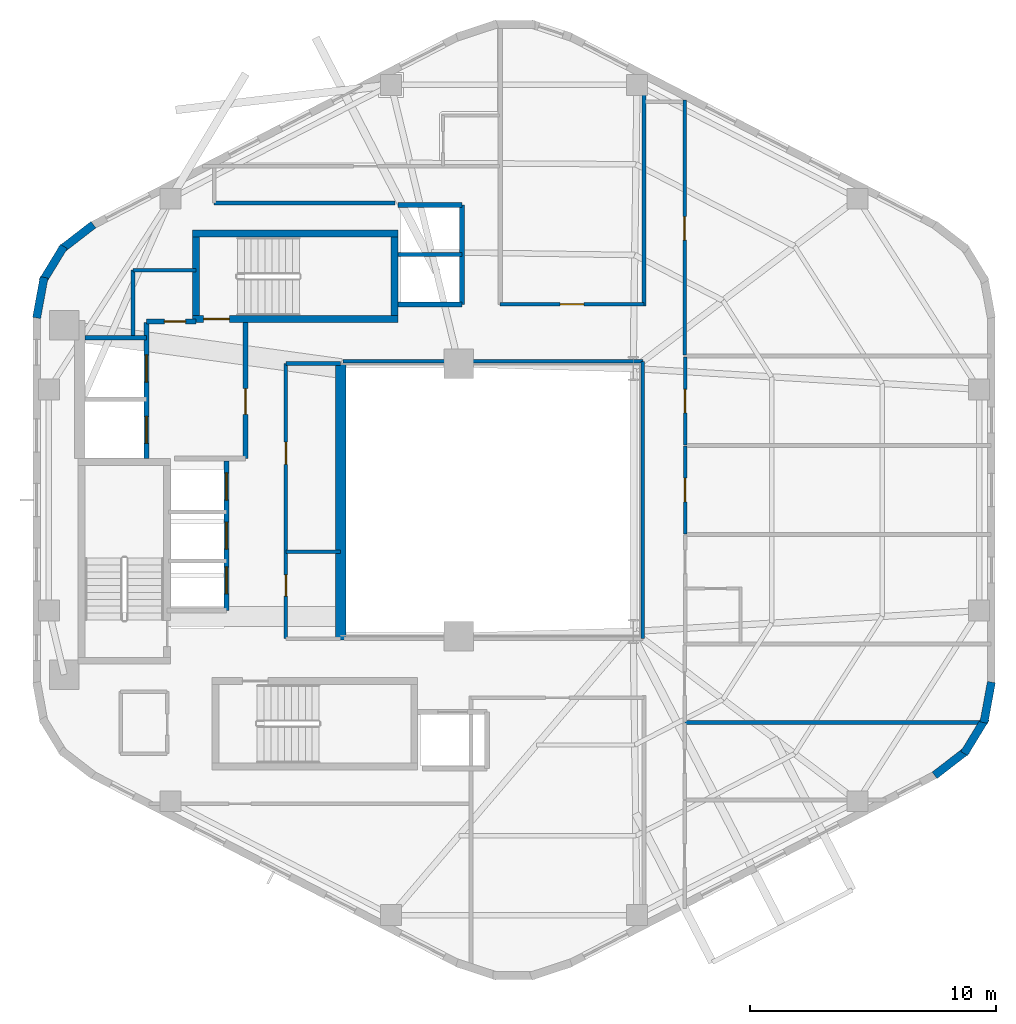
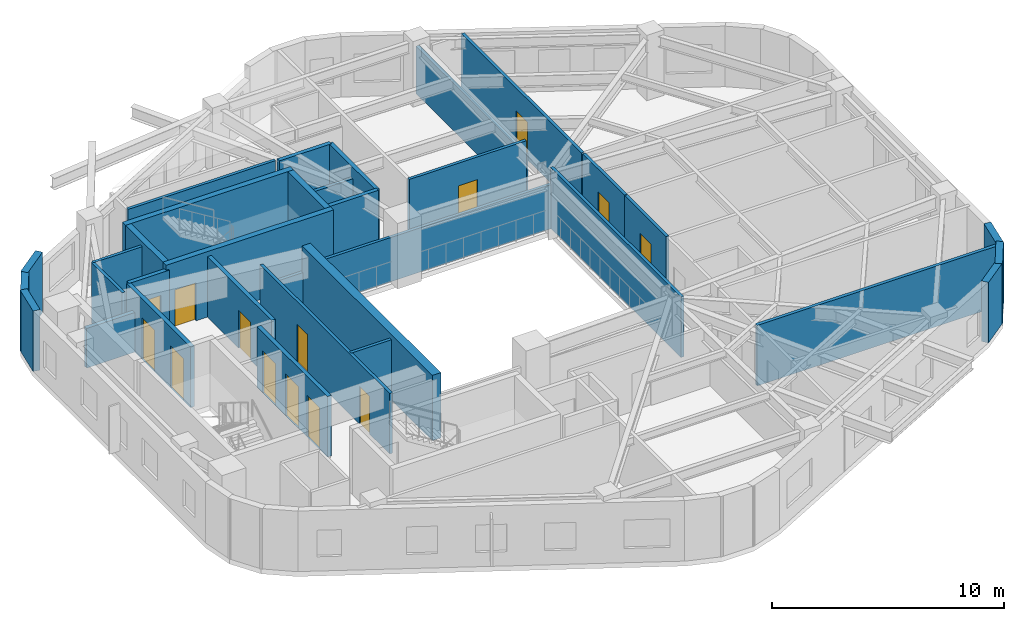
# One storey, part 4 of 7: 34 walls, 14 doors, 14 openings.
"""IFC4 building model written with IfcOpenShell, lengths in metres."""

from ifc_helpers import new_model, si_unit, direction, frame, frame_2d, origin, place, context, subcontext, project, spatial, rectangle, extrude, material, layer, layer_set, type_object, element, fill, save


model = new_model("IFC4")

# Units and contexts
model_context = context("Model", 3, precision=1e-05, world=origin(), true_north=direction((0.0, 1.0)))
body_context = subcontext(model_context, "Body", "Model", "MODEL_VIEW")
ifc_project = project(units=[si_unit("LENGTHUNIT", "METRE"), si_unit("AREAUNIT", "SQUARE_METRE"), si_unit("VOLUMEUNIT", "CUBIC_METRE"), si_unit("PLANEANGLEUNIT", "RADIAN"), si_unit("MASSUNIT", "GRAM", prefix="KILO"), si_unit("THERMODYNAMICTEMPERATUREUNIT", "KELVIN"), si_unit("POWERUNIT", "WATT")], contexts=[model_context])

# Site, building, storey
site_placement = place(None, origin())
site = spatial("IfcSite", under=ifc_project, at=site_placement, CompositionType="ELEMENT")
building_placement = place(site_placement, origin())
building = spatial("IfcBuilding", under=site, at=building_placement, Name="Skarre Station Tower", CompositionType="ELEMENT")
storey_placement = place(building_placement, frame((0.0, 0.0, 199.89990234375)))
storey = spatial("IfcBuildingStorey", under=building, at=storey_placement, Name="L54", CompositionType="ELEMENT", Elevation=199.89990234375)

# Wall
ifc_material_1 = material(Name="Acoustic Steel-Stud Gypsum Partition", Category="steel")
ifc_layer_1 = layer(ifc_material_1, 0.14990234375, Name="Acoustic Steel-Stud Gypsum Partition")
ifc_layer_set_1 = layer_set([ifc_layer_1], Name="Acoustic Steel-Stud Gypsum Partition")
wall_type_1 = type_object("IfcWallType", Name="Fire-Rated Corridor Acoustic Partition 150", PredefinedType="PARTITIONING", material=ifc_layer_set_1)
wall_1_placement = place(storey_placement, frame((25.320068359375, 21.89990234375, 0.0), z_axis=(0.0, 0.0, 1.0), x_axis=(1.0, 0.0, 0.0)))
element("IfcWall", 1, at=wall_1_placement, inside=storey, type_object=wall_type_1, Name="L54 Interior Partition WL-PT-L54-RC2-M", PredefinedType="PARTITIONING", context=body_context, shape_type="SweptSolid", body=[
    extrude(rectangle(XDim=2.22998046875, YDim=0.14990234375, at=frame_2d((1.114990234375, 0.0))), origin(), (0.0, 0.0, 1.0), 3.190185546875),
])

# Wall, openings, doors
wall_2_placement = place(storey_placement, frame((25.320068359375, 29.550048828125, 0.0), z_axis=(0.0, 0.0, 1.0), x_axis=(0.0, -1.0, 0.0)))
wall_2 = element("IfcWall", 2, at=wall_2_placement, inside=storey, type_object=wall_type_1, Name="L54 Interior Partition WL-PT-L54-RC2-W", PredefinedType="PARTITIONING", context=body_context, shape_type="SweptSolid", body=[
    extrude(rectangle(XDim=11.18994140625, YDim=0.14990234375, at=frame_2d((5.594970703125, 0.0))), origin(), (0.0, 0.0, 1.0), 3.190185546875),
])
opening_1_placement = place(wall_2_placement, frame((3.199951171875, 0.0, 0.0)))
opening_1 = element("IfcOpeningElement", 3, at=opening_1_placement, cuts=wall_2, Name="Opening DR-SVC90", PredefinedType="OPENING", context=body_context, shape_type="SweptSolid", body=[
    extrude(rectangle(XDim=0.89990234375, YDim=2.0, at=frame_2d((0.449951171875, 1.0))), frame((0.0, 0.0849609375, 0.0), z_axis=(0.0, -1.0, 0.0), x_axis=(1.0, 0.0, 0.0)), (0.0, 0.0, 1.0), 0.169921875),
])
opening_2_placement = place(wall_2_placement, frame((8.60009765625, 0.0, 0.0)))
opening_2 = element("IfcOpeningElement", 4, at=opening_2_placement, cuts=wall_2, Name="Opening DR-SVC86", PredefinedType="OPENING", context=body_context, shape_type="SweptSolid", body=[
    extrude(rectangle(XDim=0.860107421875, YDim=2.0, at=frame_2d((0.43017578125, 1.0))), frame((0.0, 0.0849609375, 0.0), z_axis=(0.0, -1.0, 0.0), x_axis=(1.0, 0.0, 0.0)), (0.0, 0.0, 1.0), 0.169921875),
])
ifc_material_2 = material(Name="Powder-Coated Hollow-Metal Acoustic Fire Leaf", Category="steel")
door_type_1 = type_object("IfcDoorType", Name="Compact Riser Fire Door FD60 860x2100", OperationType="SINGLE_SWING_LEFT", PredefinedType="DOOR", material=ifc_material_2)
door_1_placement = place(opening_2_placement, origin())
door_1 = element("IfcDoor", 5, at=door_1_placement, inside=storey, type_object=door_type_1, Name="L54 Espresso Room Door", OperationType="SINGLE_SWING_LEFT", OverallHeight=2.0, OverallWidth=0.860107421875, PredefinedType="DOOR", context=body_context, shape_type="SweptSolid", body=[
    extrude(rectangle(XDim=0.860107421875, YDim=2.0, at=frame_2d((0.43017578125, 1.0))), frame((0.0, 0.02490234375, 0.0), z_axis=(0.0, -1.0, 0.0), x_axis=(1.0, 0.0, 0.0)), (0.0, 0.0, 1.0), 0.050048828125),
])
fill(opening_2, door_1)
door_type_2 = type_object("IfcDoorType", Name="Service & Riser Fire Door FD60 900x2100", OperationType="SINGLE_SWING_LEFT", PredefinedType="DOOR", material=ifc_material_2)
door_2_placement = place(opening_1_placement, origin())
door_2 = element("IfcDoor", 6, at=door_2_placement, inside=storey, type_object=door_type_2, Name="L54 Housekeeping Store Door", OperationType="SINGLE_SWING_LEFT", OverallHeight=2.0, OverallWidth=0.89990234375, PredefinedType="DOOR", context=body_context, shape_type="SweptSolid", body=[
    extrude(rectangle(XDim=0.89990234375, YDim=2.0, at=frame_2d((0.449951171875, 1.0))), frame((0.0, 0.02490234375, 0.0), z_axis=(0.0, -1.0, 0.0), x_axis=(1.0, 0.0, 0.0)), (0.0, 0.0, 1.0), 0.050048828125),
])
fill(opening_1, door_2)

# Walls
wall_3_placement = place(storey_placement, frame((27.550048828125, 29.550048828125, 0.0), z_axis=(0.0, 0.0, 1.0), x_axis=(-1.0, 0.0, 0.0)))
element("IfcWall", 7, at=wall_3_placement, inside=storey, type_object=wall_type_1, Name="L54 Interior Partition WL-PT-L54-RC2-N", PredefinedType="PARTITIONING", context=body_context, shape_type="SweptSolid", body=[
    extrude(rectangle(XDim=2.22998046875, YDim=0.14990234375, at=frame_2d((1.114990234375, 0.0))), origin(), (0.0, 0.0, 1.0), 2.090087890625),
])
wall_4_placement = place(storey_placement, frame((19.10009765625, 33.35009765625, 0.0), z_axis=(0.0, 0.0, 1.0), x_axis=(0.0, -1.0, 0.0)))
element("IfcWall", 8, at=wall_4_placement, inside=storey, type_object=wall_type_1, Name="L54 Interior Partition WL-PT-L54-CNW-W", PredefinedType="PARTITIONING", context=body_context, shape_type="SweptSolid", body=[
    extrude(rectangle(XDim=2.655029296875, YDim=0.14990234375, at=frame_2d((1.32763671875, 0.0))), origin(), (0.0, 0.0, 1.0), 3.190185546875),
])
wall_5_placement = place(storey_placement, frame((21.659912109375, 33.35009765625, 0.0), z_axis=(0.0, 0.0, 1.0), x_axis=(-1.0, 0.0, 0.0)))
element("IfcWall", 9, at=wall_5_placement, inside=storey, type_object=wall_type_1, Name="L54 Interior Partition WL-PT-L54-CNW-N1", PredefinedType="PARTITIONING", context=body_context, shape_type="SweptSolid", body=[
    extrude(rectangle(XDim=2.559814453125, YDim=0.14990234375, at=frame_2d((1.27978515625, 0.0))), origin(), (0.0, 0.0, 1.0), 3.190185546875),
])
wall_6_placement = place(storey_placement, frame((39.840087890625, 29.639892578125, 0.0), z_axis=(0.0, 0.0, 1.0), x_axis=(-1.0, 0.0, 0.0)))
element("IfcWall", 10, at=wall_6_placement, inside=storey, type_object=wall_type_1, Name="L54 Interior Partition WL-PT-L54-ATRW-N", PredefinedType="PARTITIONING", context=body_context, shape_type="SweptSolid", body=[
    extrude(rectangle(XDim=12.203125, YDim=0.14990234375, at=frame_2d((6.1015625, 0.0))), origin(), (0.0, 0.0, 1.0), 2.3310546875),
])
wall_7_placement = place(storey_placement, frame((39.840087890625, 18.360107421875, 0.0), z_axis=(0.0, 0.0, 1.0), x_axis=(0.0, 1.0, 0.0)))
element("IfcWall", 11, at=wall_7_placement, inside=storey, type_object=wall_type_1, Name="L54 Interior Partition WL-PT-L54-ATRW-E", PredefinedType="PARTITIONING", context=body_context, shape_type="SweptSolid", body=[
    extrude(rectangle(XDim=11.27978515625, YDim=0.14990234375, at=frame_2d((5.639892578125, 0.0))), origin(), (0.0, 0.0, 1.0), 3.190185546875),
])

# Wall, opening, door
wall_8_placement = place(storey_placement, frame((39.8798828125, 31.9599609375, 0.0), z_axis=(0.0, 0.0, 1.0), x_axis=(-1.0, 0.0, 0.0)))
wall_8 = element("IfcWall", 12, at=wall_8_placement, inside=storey, type_object=wall_type_1, Name="L54 Interior Partition WL-PT-L54-NWC1-CW", PredefinedType="PARTITIONING", context=body_context, shape_type="SweptSolid", body=[
    extrude(rectangle(XDim=5.83984375, YDim=0.14990234375, at=frame_2d((2.919921875, 0.0))), origin(), (0.0, 0.0, 1.0), 3.190185546875),
])
opening_3_placement = place(wall_8_placement, frame((2.43994140625, 0.0, 0.0)))
opening_3 = element("IfcOpeningElement", 13, at=opening_3_placement, cuts=wall_8, Name="Opening DR-FD60", PredefinedType="OPENING", context=body_context, shape_type="SweptSolid", body=[
    extrude(rectangle(XDim=0.9599609375, YDim=2.0, at=frame_2d((0.47998046875, 1.0))), frame((0.0, 0.0849609375, 0.0), z_axis=(0.0, -1.0, 0.0), x_axis=(1.0, 0.0, 0.0)), (0.0, 0.0, 1.0), 0.169921875),
])
ifc_material_3 = material(Name="Nordic White-Oak Veneer Solid-Core Fire Leaf", Category="wood")
door_type_3 = type_object("IfcDoorType", Name="Corridor Suite Entry Fire Door FD60 960x2150", OperationType="SINGLE_SWING_LEFT", PredefinedType="DOOR", material=ifc_material_3)
door_3_placement = place(opening_3_placement, origin())
door_3 = element("IfcDoor", 14, at=door_3_placement, inside=storey, type_object=door_type_3, Name="L54 NWC1 Entry Door", OperationType="SINGLE_SWING_LEFT", OverallHeight=2.0, OverallWidth=0.9599609375, PredefinedType="DOOR", context=body_context, shape_type="SweptSolid", body=[
    extrude(rectangle(XDim=0.9599609375, YDim=2.0, at=frame_2d((0.47998046875, 1.0))), frame((0.0, 0.02490234375, 0.0), z_axis=(0.0, -1.0, 0.0), x_axis=(1.0, 0.0, 0.0)), (0.0, 0.0, 1.0), 0.050048828125),
])
fill(opening_3, door_3)

wall_9_placement = place(storey_placement, frame((41.5400390625, 40.27490234375, 0.0), z_axis=(0.0, 0.0, 1.0), x_axis=(0.0, -1.0, 0.0)))
wall_9 = element("IfcWall", 15, at=wall_9_placement, inside=storey, type_object=wall_type_1, Name="L54 Interior Partition WL-PT-L54-NW1-CW", PredefinedType="PARTITIONING", context=body_context, shape_type="SweptSolid", body=[
    extrude(rectangle(XDim=10.375, YDim=0.14990234375, at=frame_2d((5.1875, 0.0))), origin(), (0.0, 0.0, 1.0), 3.190185546875),
])
opening_4_placement = place(wall_9_placement, frame((4.7451171875, 0.0, 0.0)))
opening_4 = element("IfcOpeningElement", 16, at=opening_4_placement, cuts=wall_9, Name="Opening DR-FD60", PredefinedType="OPENING", context=body_context, shape_type="SweptSolid", body=[
    extrude(rectangle(XDim=0.9599609375, YDim=2.0, at=frame_2d((0.47998046875, 1.0))), frame((0.0, 0.0849609375, 0.0), z_axis=(0.0, -1.0, 0.0), x_axis=(1.0, 0.0, 0.0)), (0.0, 0.0, 1.0), 0.169921875),
])
door_4_placement = place(opening_4_placement, origin())
door_4 = element("IfcDoor", 17, at=door_4_placement, inside=storey, type_object=door_type_3, Name="L54 NW1 Entry Door", OperationType="SINGLE_SWING_LEFT", OverallHeight=2.0, OverallWidth=0.9599609375, PredefinedType="DOOR", context=body_context, shape_type="SweptSolid", body=[
    extrude(rectangle(XDim=0.9599609375, YDim=2.0, at=frame_2d((0.47998046875, 1.0))), frame((0.0, 0.02490234375, 0.0), z_axis=(0.0, -1.0, 0.0), x_axis=(1.0, 0.0, 0.0)), (0.0, 0.0, 1.0), 0.050048828125),
])
fill(opening_4, door_4)

wall_10_placement = place(storey_placement, frame((41.56005859375, 22.62109375, 0.0), z_axis=(0.0, 0.0, 1.0), x_axis=(0.0, 1.0, 0.0)))
wall_10 = element("IfcWall", 18, at=wall_10_placement, inside=storey, type_object=wall_type_1, Name="L54 Interior Partition WL-PT-L54-EW2-CW", PredefinedType="PARTITIONING", context=body_context, shape_type="SweptSolid", body=[
    extrude(rectangle(XDim=3.572998046875, YDim=0.14990234375, at=frame_2d((1.78662109375, 0.0))), origin(), (0.0, 0.0, 1.0), 3.190185546875),
])
opening_5_placement = place(wall_10_placement, frame((1.306884765625, 0.0, 0.0)))
opening_5 = element("IfcOpeningElement", 19, at=opening_5_placement, cuts=wall_10, Name="Opening DR-FD60", PredefinedType="OPENING", context=body_context, shape_type="SweptSolid", body=[
    extrude(rectangle(XDim=0.9599609375, YDim=2.0, at=frame_2d((0.47998046875, 1.0))), frame((0.0, 0.0849609375, 0.0), z_axis=(0.0, -1.0, 0.0), x_axis=(1.0, 0.0, 0.0)), (0.0, 0.0, 1.0), 0.169921875),
])
door_5_placement = place(opening_5_placement, origin())
door_5 = element("IfcDoor", 20, at=door_5_placement, inside=storey, type_object=door_type_3, Name="L54 EW2 Entry Door", OperationType="SINGLE_SWING_LEFT", OverallHeight=2.0, OverallWidth=0.9599609375, PredefinedType="DOOR", context=body_context, shape_type="SweptSolid", body=[
    extrude(rectangle(XDim=0.9599609375, YDim=2.0, at=frame_2d((0.47998046875, 1.0))), frame((0.0, 0.02490234375, 0.0), z_axis=(0.0, -1.0, 0.0), x_axis=(1.0, 0.0, 0.0)), (0.0, 0.0, 1.0), 0.050048828125),
])
fill(opening_5, door_5)

wall_11_placement = place(storey_placement, frame((41.56005859375, 26.22998046875, 0.0), z_axis=(0.0, 0.0, 1.0), x_axis=(0.0, 1.0, 0.0)))
wall_11 = element("IfcWall", 21, at=wall_11_placement, inside=storey, type_object=wall_type_1, Name="L54 Interior Partition WL-PT-L54-EW3-CW", PredefinedType="PARTITIONING", context=body_context, shape_type="SweptSolid", body=[
    extrude(rectangle(XDim=3.590087890625, YDim=0.14990234375, at=frame_2d((1.794921875, 0.0))), origin(), (0.0, 0.0, 1.0), 3.190185546875),
])
opening_6_placement = place(wall_11_placement, frame((1.31494140625, 0.0, 0.0)))
opening_6 = element("IfcOpeningElement", 22, at=opening_6_placement, cuts=wall_11, Name="Opening DR-FD60", PredefinedType="OPENING", context=body_context, shape_type="SweptSolid", body=[
    extrude(rectangle(XDim=0.9599609375, YDim=2.0, at=frame_2d((0.47998046875, 1.0))), frame((0.0, 0.0849609375, 0.0), z_axis=(0.0, -1.0, 0.0), x_axis=(1.0, 0.0, 0.0)), (0.0, 0.0, 1.0), 0.169921875),
])
door_6_placement = place(opening_6_placement, origin())
door_6 = element("IfcDoor", 23, at=door_6_placement, inside=storey, type_object=door_type_3, Name="L54 EW3 Entry Door", OperationType="SINGLE_SWING_LEFT", OverallHeight=2.0, OverallWidth=0.9599609375, PredefinedType="DOOR", context=body_context, shape_type="SweptSolid", body=[
    extrude(rectangle(XDim=0.9599609375, YDim=2.0, at=frame_2d((0.47998046875, 1.0))), frame((0.0, 0.02490234375, 0.0), z_axis=(0.0, -1.0, 0.0), x_axis=(1.0, 0.0, 0.0)), (0.0, 0.0, 1.0), 0.050048828125),
])
fill(opening_6, door_6)

# Walls
wall_12_placement = place(storey_placement, frame((29.7529296875, 36.080078125, 0.0), z_axis=(0.0, 0.0, 1.0), x_axis=(-1.0, 0.0, 0.0)))
element("IfcWall", 24, at=wall_12_placement, inside=storey, type_object=wall_type_1, Name="L54 Interior Partition WL-PT-L54-CSEAL-1", PredefinedType="PARTITIONING", context=body_context, shape_type="SweptSolid", body=[
    extrude(rectangle(XDim=7.35302734375, YDim=0.14990234375, at=frame_2d((3.676513671875, 0.0))), origin(), (0.0, 0.0, 1.0), 3.190185546875),
])
ifc_material_4 = material(Name="Precast concrete C45/55", Category="concrete")
ifc_layer_2 = layer(ifc_material_4, 0.330078125, Name="Precast concrete C45/55")
ifc_layer_set_2 = layer_set([ifc_layer_2], Name="Precast concrete C45/55")
wall_type_2 = type_object("IfcWallType", Name="Nordic Rounded Corner Precast Wall 330", PredefinedType="STANDARD", material=ifc_layer_set_2)
wall_13_placement = place(storey_placement, frame((15.178955078125, 31.407958984375, 0.0), z_axis=(0.0, 0.0, 1.0), x_axis=(0.180717642671, 0.983535019014, 0.0)))
element("IfcWall", 25, at=wall_13_placement, inside=storey, type_object=wall_type_2, Name="L54 Rounded Corner Precast Wall F2-1", PredefinedType="STANDARD", context=body_context, shape_type="SweptSolid", body=[
    extrude(rectangle(XDim=1.676513671875, YDim=0.330078125, at=frame_2d((0.83837890625, 0.0))), origin(), (0.0, 0.0, 1.0), 3.190185546875),
])
wall_14_placement = place(storey_placement, frame((15.4150390625, 32.882080078125, 0.0), z_axis=(0.0, 0.0, 1.0), x_axis=(0.520325409202, 0.853968072318, 0.0)))
element("IfcWall", 26, at=wall_14_placement, inside=storey, type_object=wall_type_2, Name="L54 Rounded Corner Precast Wall F2-2", PredefinedType="STANDARD", context=body_context, shape_type="SweptSolid", body=[
    extrude(rectangle(XDim=1.677978515625, YDim=0.330078125, at=frame_2d((0.8388671875, 0.0))), origin(), (0.0, 0.0, 1.0), 3.190185546875),
])
for number, where, z_axis, x_axis, name in (
    (27, (16.162109375, 34.175048828125, 0.0), (0.0, 0.0, 1.0), (0.791409877269, 0.611285862884, 0.0), "L54 Rounded Corner Precast Wall F2-3"),
    (28, (54.02099609375, 16.592041015625, 0.0), (0.0, 0.0, 1.0), (-0.180717642671, -0.983535019014, 0.0), "L54 Rounded Corner Precast Wall F5-1"),
):
    element("IfcWall", number, at=place(storey_placement, frame(where, z_axis=z_axis, x_axis=x_axis)), inside=storey, type_object=wall_type_2, Name=name, PredefinedType="STANDARD", context=body_context, shape_type="SweptSolid", body=[
        extrude(rectangle(XDim=1.676513671875, YDim=0.330078125, at=frame_2d((0.83837890625, 0.0))), origin(), (0.0, 0.0, 1.0), 3.190185546875),
    ])
wall_15_placement = place(storey_placement, frame((53.784912109375, 15.117919921875, 0.0), z_axis=(0.0, 0.0, 1.0), x_axis=(-0.520219286058, -0.85403272444, 0.0)))
element("IfcWall", 29, at=wall_15_placement, inside=storey, type_object=wall_type_2, Name="L54 Rounded Corner Precast Wall F5-2", PredefinedType="STANDARD", context=body_context, shape_type="SweptSolid", body=[
    extrude(rectangle(XDim=1.677734375, YDim=0.330078125, at=frame_2d((0.8388671875, 0.0))), origin(), (0.0, 0.0, 1.0), 3.190185546875),
])
wall_16_placement = place(storey_placement, frame((53.0380859375, 13.824951171875, 0.0), z_axis=(0.0, 0.0, 1.0), x_axis=(-0.791464279355, -0.611215423976, 0.0)))
element("IfcWall", 30, at=wall_16_placement, inside=storey, type_object=wall_type_2, Name="L54 Rounded Corner Precast Wall F5-3", PredefinedType="STANDARD", context=body_context, shape_type="SweptSolid", body=[
    extrude(rectangle(XDim=1.6767578125, YDim=0.330078125, at=frame_2d((0.83837890625, 0.0))), origin(), (0.0, 0.0, 1.0), 3.190185546875),
])

# Wall, opening, door
ifc_material_5 = material(Name="Concrete C50/60", Category="concrete")
ifc_layer_3 = layer(ifc_material_5, 0.280029296875, Name="Concrete C50/60")
ifc_layer_set_3 = layer_set([ifc_layer_3], Name="Concrete C50/60")
wall_type_3 = type_object("IfcWallType", Name="RC Core Shear Wall 280", PredefinedType="SHEAR", material=ifc_layer_set_3)
wall_17_placement = place(storey_placement, frame((21.52001953125, 31.360107421875, 0.0), z_axis=(0.0, 0.0, 1.0), x_axis=(1.0, 0.0, 0.0)))
wall_17 = element("IfcWall", 31, at=wall_17_placement, inside=storey, type_object=wall_type_3, Name="L54 Stair ST-3 South Shear Wall", PredefinedType="SHEAR", context=body_context, shape_type="SweptSolid", body=[
    extrude(rectangle(XDim=8.35986328125, YDim=0.280029296875, at=frame_2d((4.179931640625, 0.0))), origin(), (0.0, 0.0, 1.0), 3.4501953125),
])
opening_7_placement = place(wall_17_placement, frame((0.449951171875, 0.0, 0.0)))
opening_7 = element("IfcOpeningElement", 32, at=opening_7_placement, cuts=wall_17, Name="Opening DR-FD90", PredefinedType="OPENING", context=body_context, shape_type="SweptSolid", body=[
    extrude(rectangle(XDim=1.050048828125, YDim=2.0, at=frame_2d((0.52490234375, 1.0))), frame((0.0, 0.14990234375, 0.0), z_axis=(0.0, -1.0, 0.0), x_axis=(1.0, 0.0, 0.0)), (0.0, 0.0, 1.0), 0.300048828125),
])
ifc_material_6 = material(Name="Fire-Rated Insulated Steel Frame & Timber Core Leaf", Category="steel")
door_type_4 = type_object("IfcDoorType", Name="Stair & FSAE Lobby Fire Door FD90 1050x2150", OperationType="SINGLE_SWING_RIGHT", PredefinedType="DOOR", material=ifc_material_6)
door_7_placement = place(opening_7_placement, origin())
door_7 = element("IfcDoor", 33, at=door_7_placement, inside=storey, type_object=door_type_4, Name="L54 Stair ST-3 & FSAE Lobby Direct Exit Door", OperationType="SINGLE_SWING_LEFT", OverallHeight=2.0, OverallWidth=1.050048828125, PredefinedType="DOOR", context=body_context, shape_type="SweptSolid", body=[
    extrude(rectangle(XDim=1.050048828125, YDim=2.0, at=frame_2d((0.52490234375, 1.0))), frame((0.0, 0.02490234375, 0.0), z_axis=(0.0, -1.0, 0.0), x_axis=(1.0, 0.0, 0.0)), (0.0, 0.0, 1.0), 0.050048828125),
])
fill(opening_7, door_7)

# Walls
wall_18_placement = place(storey_placement, frame((29.8798828125, 34.840087890625, 0.0), z_axis=(0.0, 0.0, 1.0), x_axis=(-1.0, 0.0, 0.0)))
element("IfcWall", 34, at=wall_18_placement, inside=storey, type_object=wall_type_3, Name="L54 Stair ST-3 North Shear Wall", PredefinedType="SHEAR", context=body_context, shape_type="SweptSolid", body=[
    extrude(rectangle(XDim=8.35986328125, YDim=0.280029296875, at=frame_2d((4.179931640625, 0.0))), origin(), (0.0, 0.0, 1.0), 3.4501953125),
])
for number, where, z_axis, x_axis, name in (
    (35, (21.659912109375, 34.699951171875, 0.0), (0.0, 0.0, 1.0), (0.0, -1.0, 0.0), "L54 Stair ST-3 West Shear Wall"),
    (36, (29.739990234375, 31.5, 0.0), (0.0, 0.0, 1.0), (0.0, 1.0, 0.0), "L54 Stair ST-3 East Shear Wall"),
):
    element("IfcWall", number, at=place(storey_placement, frame(where, z_axis=z_axis, x_axis=x_axis)), inside=storey, type_object=wall_type_3, Name=name, PredefinedType="SHEAR", context=body_context, shape_type="SweptSolid", body=[
        extrude(rectangle(XDim=3.199951171875, YDim=0.280029296875, at=frame_2d((1.60009765625, 0.0))), origin(), (0.0, 0.0, 1.0), 3.4501953125),
    ])
ifc_material_7 = material(Name="Concrete C60/75", Category="concrete")
ifc_layer_4 = layer(ifc_material_7, 0.419921875, Name="Concrete C60/75")
ifc_layer_set_4 = layer_set([ifc_layer_4], Name="Concrete C60/75")
wall_type_4 = type_object("IfcWallType", Name="RC Core Shear Wall 420", PredefinedType="SHEAR", material=ifc_layer_set_4)
wall_19_placement = place(storey_placement, frame((27.550048828125, 29.550048828125, 0.0), z_axis=(0.0, 0.0, 1.0), x_axis=(0.0, -1.0, 0.0)))
element("IfcWall", 37, at=wall_19_placement, inside=storey, type_object=wall_type_4, Name="L54 Core East Atrium Shear Wall", PredefinedType="SHEAR", context=body_context, shape_type="SweptSolid", body=[
    extrude(rectangle(XDim=11.25, YDim=0.419921875, at=frame_2d((5.625, 0.0))), origin(), (0.0, 0.0, 1.0), 3.4501953125),
])

# Wall, openings, doors
ifc_material_8 = material(Name="Gypsum Concrete Shaft Assembly C30/37", Category="concrete")
ifc_layer_5 = layer(ifc_material_8, 0.199951171875, Name="Gypsum Concrete Shaft Assembly C30/37")
ifc_layer_set_5 = layer_set([ifc_layer_5], Name="Gypsum Concrete Shaft Assembly C30/37")
wall_type_5 = type_object("IfcWallType", Name="Shaft & Core Fire Partition 200", PredefinedType="PARTITIONING", material=ifc_layer_set_5)
wall_20_placement = place(storey_placement, frame((19.64990234375, 25.679931640625, 0.0), z_axis=(0.0, 0.0, 1.0), x_axis=(0.0, 1.0, 0.0)))
wall_20 = element("IfcWall", 38, at=wall_20_placement, inside=storey, type_object=wall_type_5, Name="L54 Interior Partition WL-PT-L54-FSAE-W", PredefinedType="PARTITIONING", context=body_context, shape_type="SweptSolid", body=[
    extrude(rectangle(XDim=5.5400390625, YDim=0.199951171875, at=frame_2d((2.77001953125, 0.0))), origin(), (0.0, 0.0, 1.0), 3.190185546875),
])
opening_8_placement = place(wall_20_placement, frame((0.6201171875, 0.0, 0.0)))
opening_8 = element("IfcOpeningElement", 39, at=opening_8_placement, cuts=wall_20, Name="Opening LD-FF1", PredefinedType="OPENING", context=body_context, shape_type="SweptSolid", body=[
    extrude(rectangle(XDim=1.10009765625, YDim=2.199951171875, at=frame_2d((0.550048828125, 1.10009765625))), frame((0.0, 0.10986328125, 0.0), z_axis=(0.0, -1.0, 0.0), x_axis=(1.0, 0.0, 0.0)), (0.0, 0.0, 1.0), 0.219970703125),
])
opening_9_placement = place(wall_20_placement, frame((3.1201171875, 0.0, 0.0)))
opening_9 = element("IfcOpeningElement", 40, at=opening_9_placement, cuts=wall_20, Name="Opening LD-FF2", PredefinedType="OPENING", context=body_context, shape_type="SweptSolid", body=[
    extrude(rectangle(XDim=1.10009765625, YDim=2.199951171875, at=frame_2d((0.550048828125, 1.10009765625))), frame((0.0, 0.10986328125, 0.0), z_axis=(0.0, -1.0, 0.0), x_axis=(1.0, 0.0, 0.0)), (0.0, 0.0, 1.0), 0.219970703125),
])
ifc_material_9 = material(Name="Fire-Rated Stainless Steel Grade 316L Sliding Leaves", Category="steel")
door_type_5 = type_object("IfcDoorType", Name="Fire Service Access Elevator Sliding Landing Door 1100x2200", OperationType="SLIDING_TO_LEFT", PredefinedType="DOOR", material=ifc_material_9)
door_8_placement = place(opening_8_placement, origin())
door_8 = element("IfcDoor", 41, at=door_8_placement, inside=storey, type_object=door_type_5, Name="L54 Firefighting Lift LF-FF1 Landing Door", OperationType="SLIDING_TO_LEFT", OverallHeight=2.199951171875, OverallWidth=1.10009765625, PredefinedType="DOOR", context=body_context, shape_type="SweptSolid", body=[
    extrude(rectangle(XDim=1.10009765625, YDim=2.199951171875, at=frame_2d((0.550048828125, 1.10009765625))), frame((0.0, 0.02490234375, 0.0), z_axis=(0.0, -1.0, 0.0), x_axis=(1.0, 0.0, 0.0)), (0.0, 0.0, 1.0), 0.050048828125),
])
fill(opening_8, door_8)
door_9_placement = place(opening_9_placement, origin())
door_9 = element("IfcDoor", 42, at=door_9_placement, inside=storey, type_object=door_type_5, Name="L54 Firefighting Lift LF-FF2 Landing Door", OperationType="SLIDING_TO_LEFT", OverallHeight=2.199951171875, OverallWidth=1.10009765625, PredefinedType="DOOR", context=body_context, shape_type="SweptSolid", body=[
    extrude(rectangle(XDim=1.10009765625, YDim=2.199951171875, at=frame_2d((0.550048828125, 1.10009765625))), frame((0.0, 0.02490234375, 0.0), z_axis=(0.0, -1.0, 0.0), x_axis=(1.0, 0.0, 0.0)), (0.0, 0.0, 1.0), 0.050048828125),
])
fill(opening_9, door_9)

# Wall, opening, door
wall_21_placement = place(storey_placement, frame((23.679931640625, 25.679931640625, 0.0), z_axis=(0.0, 0.0, 1.0), x_axis=(0.0, 1.0, 0.0)))
wall_21 = element("IfcWall", 43, at=wall_21_placement, inside=storey, type_object=wall_type_5, Name="L54 Interior Partition WL-PT-L54-FSAE-E", PredefinedType="PARTITIONING", context=body_context, shape_type="SweptSolid", body=[
    extrude(rectangle(XDim=5.5400390625, YDim=0.199951171875, at=frame_2d((2.77001953125, 0.0))), origin(), (0.0, 0.0, 1.0), 3.190185546875),
])
opening_10_placement = place(wall_21_placement, frame((1.800048828125, 0.0, 0.0)))
opening_10 = element("IfcOpeningElement", 44, at=opening_10_placement, cuts=wall_21, Name="Opening DR-FD90", PredefinedType="OPENING", context=body_context, shape_type="SweptSolid", body=[
    extrude(rectangle(XDim=1.050048828125, YDim=2.0, at=frame_2d((0.52490234375, 1.0))), frame((0.0, 0.10986328125, 0.0), z_axis=(0.0, -1.0, 0.0), x_axis=(1.0, 0.0, 0.0)), (0.0, 0.0, 1.0), 0.219970703125),
])
door_10_placement = place(opening_10_placement, origin())
door_10 = element("IfcDoor", 45, at=door_10_placement, inside=storey, type_object=door_type_4, Name="L54 FSAE Lobby Fire Door", OperationType="SINGLE_SWING_RIGHT", OverallHeight=2.0, OverallWidth=1.050048828125, PredefinedType="DOOR", context=body_context, shape_type="SweptSolid", body=[
    extrude(rectangle(XDim=1.050048828125, YDim=2.0, at=frame_2d((0.52490234375, 1.0))), frame((0.0, 0.02490234375, 0.0), z_axis=(0.0, -1.0, 0.0), x_axis=(1.0, 0.0, 0.0)), (0.0, 0.0, 1.0), 0.050048828125),
])
fill(opening_10, door_10)

wall_22_placement = place(storey_placement, frame((21.659912109375, 31.260009765625, 0.0), z_axis=(0.0, 0.0, 1.0), x_axis=(-1.0, 0.0, 0.0)))
wall_22 = element("IfcWall", 46, at=wall_22_placement, inside=storey, type_object=wall_type_5, Name="L54 Interior Partition WL-PT-L54-FSAE-N", PredefinedType="PARTITIONING", context=body_context, shape_type="SweptSolid", body=[
    extrude(rectangle(XDim=2.010009765625, YDim=0.199951171875, at=frame_2d((1.0048828125, 0.0))), origin(), (0.0, 0.0, 1.0), 3.190185546875),
])
opening_11_placement = place(wall_22_placement, frame((0.419921875, 0.0, 0.0)))
opening_11 = element("IfcOpeningElement", 47, at=opening_11_placement, cuts=wall_22, Name="Opening DR-SVC86", PredefinedType="OPENING", context=body_context, shape_type="SweptSolid", body=[
    extrude(rectangle(XDim=0.860107421875, YDim=2.0, at=frame_2d((0.43017578125, 1.0))), frame((0.0, 0.10986328125, 0.0), z_axis=(0.0, -1.0, 0.0), x_axis=(1.0, 0.0, 0.0)), (0.0, 0.0, 1.0), 0.219970703125),
])
door_11_placement = place(opening_11_placement, origin())
door_11 = element("IfcDoor", 48, at=door_11_placement, inside=storey, type_object=door_type_1, Name="L54 Core Service Room Lobby Door", OperationType="SINGLE_SWING_LEFT", OverallHeight=2.0, OverallWidth=0.860107421875, PredefinedType="DOOR", context=body_context, shape_type="SweptSolid", body=[
    extrude(rectangle(XDim=0.860107421875, YDim=2.0, at=frame_2d((0.43017578125, 1.0))), frame((0.0, 0.02490234375, 0.0), z_axis=(0.0, -1.0, 0.0), x_axis=(1.0, 0.0, 0.0)), (0.0, 0.0, 1.0), 0.050048828125),
])
fill(opening_11, door_11)

# Walls
wall_23_placement = place(storey_placement, frame((19.64990234375, 30.60009765625, 0.0), z_axis=(0.0, 0.0, 1.0), x_axis=(-1.0, 0.0, 0.0)))
element("IfcWall", 49, at=wall_23_placement, inside=storey, type_object=wall_type_5, Name="L54 Interior Partition WL-PT-L54-FF-N", PredefinedType="PARTITIONING", context=body_context, shape_type="SweptSolid", body=[
    extrude(rectangle(XDim=2.5, YDim=0.199951171875, at=frame_2d((1.25, 0.0))), origin(), (0.0, 0.0, 1.0), 2.090087890625),
])
wall_24_placement = place(storey_placement, frame((32.47998046875, 31.949951171875, 0.0), z_axis=(0.0, 0.0, 1.0), x_axis=(0.0, 1.0, 0.0)))
element("IfcWall", 50, at=wall_24_placement, inside=storey, type_object=wall_type_5, Name="L54 Interior Partition WL-PT-L54-EX-E", PredefinedType="PARTITIONING", context=body_context, shape_type="SweptSolid", body=[
    extrude(rectangle(XDim=4.050048828125, YDim=0.199951171875, at=frame_2d((2.02490234375, 0.0))), origin(), (0.0, 0.0, 1.0), 3.190185546875),
])
for number, where, z_axis, x_axis, name in (
    (51, (29.8798828125, 36.0, 0.0), (0.0, 0.0, 1.0), (1.0, 0.0, 0.0), "L54 Interior Partition WL-PT-L54-EX-N"),
    (52, (32.47998046875, 31.949951171875, 0.0), (0.0, 0.0, 1.0), (-1.0, 0.0, 0.0), "L54 Interior Partition WL-PT-L54-EX-S"),
):
    element("IfcWall", number, at=place(storey_placement, frame(where, z_axis=z_axis, x_axis=x_axis)), inside=storey, type_object=wall_type_5, Name=name, PredefinedType="PARTITIONING", context=body_context, shape_type="SweptSolid", body=[
        extrude(rectangle(XDim=2.60009765625, YDim=0.199951171875, at=frame_2d((1.300048828125, 0.0))), origin(), (0.0, 0.0, 1.0), 3.190185546875),
    ])
wall_25_placement = place(storey_placement, frame((29.875, 33.97998046875, 0.0), z_axis=(0.0, 0.0, 1.0), x_axis=(1.0, 0.0, 0.0)))
element("IfcWall", 53, at=wall_25_placement, inside=storey, type_object=wall_type_5, Name="L54 Interior Partition WL-PT-L54-EX-DIV", PredefinedType="PARTITIONING", context=body_context, shape_type="SweptSolid", body=[
    extrude(rectangle(XDim=2.60498046875, YDim=0.159912109375, at=frame_2d((1.302490234375, 0.0))), origin(), (0.0, 0.0, 1.0), 2.58203125),
])

# Wall, openings, doors
wall_26_placement = place(storey_placement, frame((22.89990234375, 19.5, 0.0), z_axis=(0.0, 0.0, 1.0), x_axis=(0.0, 1.0, 0.0)))
wall_26 = element("IfcWall", 54, at=wall_26_placement, inside=storey, type_object=wall_type_5, Name="L54 Interior Partition WL-PT-L54-B3-E", PredefinedType="PARTITIONING", context=body_context, shape_type="SweptSolid", body=[
    extrude(rectangle(XDim=6.0849609375, YDim=0.199951171875, at=frame_2d((3.04248046875, 0.0))), origin(), (0.0, 0.0, 1.0), 3.190185546875),
])
opening_12_placement = place(wall_26_placement, frame((0.679931640625, 0.0, 0.0)))
opening_12 = element("IfcOpeningElement", 55, at=opening_12_placement, cuts=wall_26, Name="Opening LD-P7", PredefinedType="OPENING", context=body_context, shape_type="SweptSolid", body=[
    extrude(rectangle(XDim=1.10009765625, YDim=2.199951171875, at=frame_2d((0.550048828125, 1.10009765625))), frame((0.0, 0.10986328125, 0.0), z_axis=(0.0, -1.0, 0.0), x_axis=(1.0, 0.0, 0.0)), (0.0, 0.0, 1.0), 0.219970703125),
])
opening_13_placement = place(wall_26_placement, frame((2.5, 0.0, 0.0)))
opening_13 = element("IfcOpeningElement", 56, at=opening_13_placement, cuts=wall_26, Name="Opening LD-P8", PredefinedType="OPENING", context=body_context, shape_type="SweptSolid", body=[
    extrude(rectangle(XDim=1.10009765625, YDim=2.199951171875, at=frame_2d((0.550048828125, 1.10009765625))), frame((0.0, 0.10986328125, 0.0), z_axis=(0.0, -1.0, 0.0), x_axis=(1.0, 0.0, 0.0)), (0.0, 0.0, 1.0), 0.219970703125),
])
opening_14_placement = place(wall_26_placement, frame((4.5, 0.0, 0.0)))
opening_14 = element("IfcOpeningElement", 57, at=opening_14_placement, cuts=wall_26, Name="Opening LD-P9", PredefinedType="OPENING", context=body_context, shape_type="SweptSolid", body=[
    extrude(rectangle(XDim=1.10009765625, YDim=2.199951171875, at=frame_2d((0.550048828125, 1.10009765625))), frame((0.0, 0.10986328125, 0.0), z_axis=(0.0, -1.0, 0.0), x_axis=(1.0, 0.0, 0.0)), (0.0, 0.0, 1.0), 0.219970703125),
])
ifc_material_10 = material(Name="Brushed Bronze Stainless Steel Sliding Leaves", Category="steel")
door_type_6 = type_object("IfcDoorType", Name="Passenger Elevator Center-Parting Sliding Door 1100x2200", OperationType="SLIDING_TO_LEFT", PredefinedType="DOOR", material=ifc_material_10)
door_12_placement = place(opening_12_placement, origin())
door_12 = element("IfcDoor", 58, at=door_12_placement, inside=storey, type_object=door_type_6, Name="L54 Passenger Lift LF-P7 Landing Door", OperationType="SLIDING_TO_LEFT", OverallHeight=2.199951171875, OverallWidth=1.10009765625, PredefinedType="DOOR", context=body_context, shape_type="SweptSolid", body=[
    extrude(rectangle(XDim=1.10009765625, YDim=2.199951171875, at=frame_2d((0.550048828125, 1.10009765625))), frame((0.0, 0.02490234375, 0.0), z_axis=(0.0, -1.0, 0.0), x_axis=(1.0, 0.0, 0.0)), (0.0, 0.0, 1.0), 0.050048828125),
])
fill(opening_12, door_12)
door_13_placement = place(opening_13_placement, origin())
door_13 = element("IfcDoor", 59, at=door_13_placement, inside=storey, type_object=door_type_6, Name="L54 Passenger Lift LF-P8 Landing Door", OperationType="SLIDING_TO_LEFT", OverallHeight=2.199951171875, OverallWidth=1.10009765625, PredefinedType="DOOR", context=body_context, shape_type="SweptSolid", body=[
    extrude(rectangle(XDim=1.10009765625, YDim=2.199951171875, at=frame_2d((0.550048828125, 1.10009765625))), frame((0.0, 0.02490234375, 0.0), z_axis=(0.0, -1.0, 0.0), x_axis=(1.0, 0.0, 0.0)), (0.0, 0.0, 1.0), 0.050048828125),
])
fill(opening_13, door_13)
door_14_placement = place(opening_14_placement, origin())
door_14 = element("IfcDoor", 60, at=door_14_placement, inside=storey, type_object=door_type_6, Name="L54 Passenger Lift LF-P9 Landing Door", OperationType="SLIDING_TO_LEFT", OverallHeight=2.199951171875, OverallWidth=1.10009765625, PredefinedType="DOOR", context=body_context, shape_type="SweptSolid", body=[
    extrude(rectangle(XDim=1.10009765625, YDim=2.199951171875, at=frame_2d((0.550048828125, 1.10009765625))), frame((0.0, 0.02490234375, 0.0), z_axis=(0.0, -1.0, 0.0), x_axis=(1.0, 0.0, 0.0)), (0.0, 0.0, 1.0), 0.050048828125),
])
fill(opening_14, door_14)

# Walls
ifc_layer_6 = layer(ifc_material_1, 0.1650390625, Name="Acoustic Steel-Stud Gypsum Partition")
ifc_layer_set_6 = layer_set([ifc_layer_6], Name="Acoustic Steel-Stud Gypsum Partition")
wall_type_6 = type_object("IfcWallType", Name="Suite Demising Acoustic Partition 165", PredefinedType="PARTITIONING", material=ifc_layer_set_6)
wall_27_placement = place(storey_placement, frame((39.8798828125, 31.889892578125, 0.0), z_axis=(0.0, 0.0, 1.0), x_axis=(0.0, 1.0, 0.0)))
element("IfcWall", 61, at=wall_27_placement, inside=storey, type_object=wall_type_6, Name="L54 Interior Partition WL-PT-L54-NWC-E", PredefinedType="PARTITIONING", context=body_context, shape_type="SweptSolid", body=[
    extrude(rectangle(XDim=9.406005859375, YDim=0.1650390625, at=frame_2d((4.703125, 0.0))), origin(), (0.0, 0.0, 1.0), 2.4970703125),
])
wall_28_placement = place(storey_placement, frame((41.550048828125, 14.947998046875, 0.0), z_axis=(0.0, 0.0, 1.0), x_axis=(1.0, 0.0, 0.0)))
element("IfcWall", 62, at=wall_28_placement, inside=storey, type_object=wall_type_6, Name="L54 Interior Partition WL-PT-L54-SW-P2", PredefinedType="PARTITIONING", context=body_context, shape_type="SweptSolid", body=[
    extrude(rectangle(XDim=12.125, YDim=0.1650390625, at=frame_2d((6.0625, 0.0))), origin(), (0.0, 0.0, 1.0), 3.190185546875),
])

save(model, "model.ifc")
